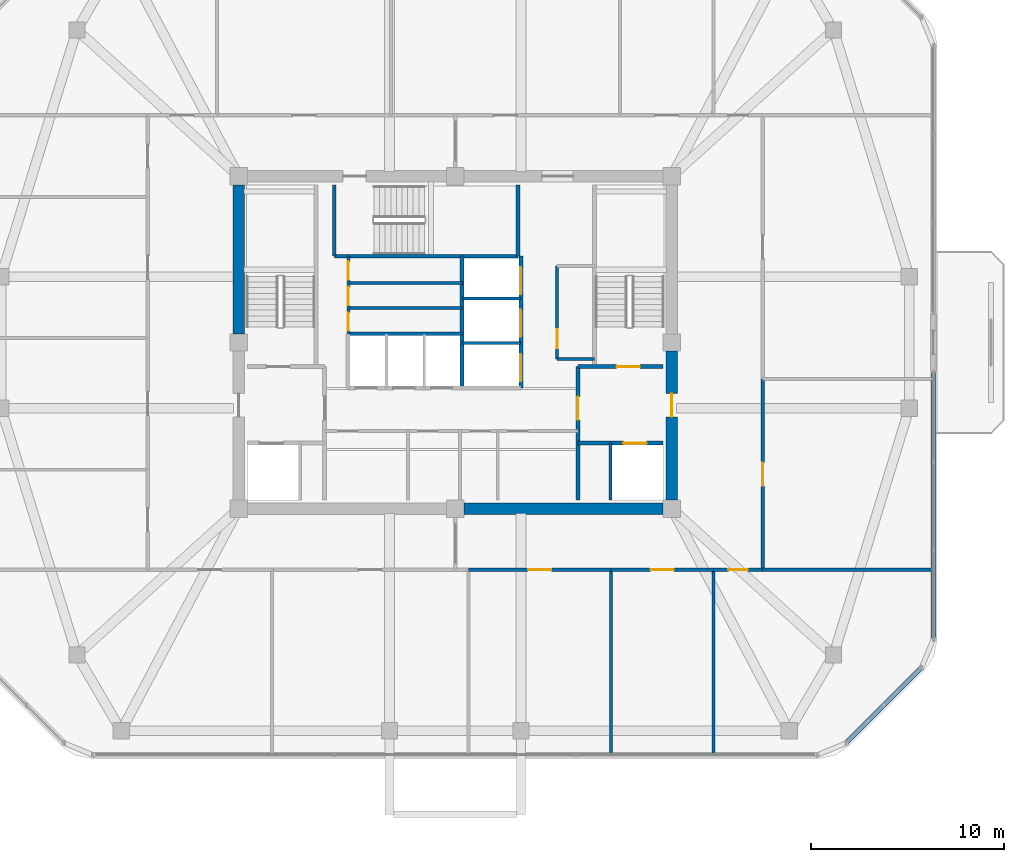
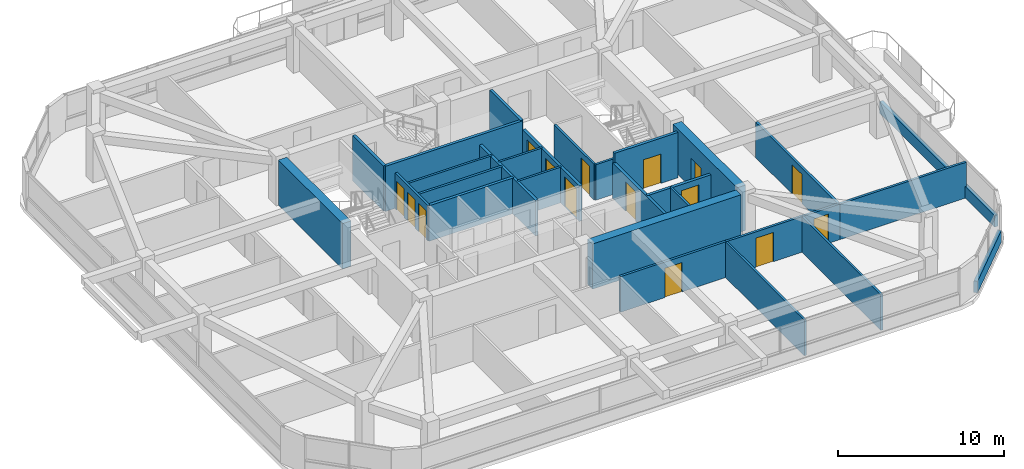
# One storey, part 10 of 14: 29 walls, 15 doors, 15 openings.
"""IFC4 building model written with IfcOpenShell, lengths in metres."""

from ifc_helpers import new_model, si_unit, derived_unit, direction, frame, frame_2d, origin, place, context, subcontext, project, spatial, rectangle, extrude, material, layer, layer_set, type_object, element, fill, save


model = new_model("IFC4")

# Units and contexts
model_context = context("Model", 3, precision=1e-05, world=origin(), true_north=direction((0.0, 1.0)))
body_context = subcontext(model_context, "Body", "Model", "MODEL_VIEW")
ifc_project = project(units=[si_unit("LENGTHUNIT", "METRE"), si_unit("AREAUNIT", "SQUARE_METRE"), si_unit("VOLUMEUNIT", "CUBIC_METRE"), si_unit("PLANEANGLEUNIT", "RADIAN"), si_unit("MASSUNIT", "GRAM", prefix="KILO"), derived_unit("THERMALTRANSMITTANCEUNIT", [(si_unit("POWERUNIT", "WATT"), 1), (si_unit("LENGTHUNIT", "METRE"), -2), (si_unit("THERMODYNAMICTEMPERATUREUNIT", "KELVIN"), -1)])], contexts=[model_context])

# Site, building, storey
site_placement = place(None, origin())
site = spatial("IfcSite", under=ifc_project, at=site_placement, CompositionType="ELEMENT")
building_placement = place(site_placement, origin())
building = spatial("IfcBuilding", under=site, at=building_placement, Name="Koralith Skygarden Medical Center", CompositionType="ELEMENT")
storey_placement = place(building_placement, frame((0.0, 0.0, 246.419921875)))
storey = spatial("IfcBuildingStorey", under=building, at=storey_placement, Name="L63", CompositionType="ELEMENT", Elevation=246.419921875)

# Wall, opening, door
ifc_material_1 = material(Name="Gypsum Board Partition")
ifc_layer_1 = layer(ifc_material_1, 0.14990234375)
ifc_layer_set_1 = layer_set([ifc_layer_1], Name="Gypsum Board Partition")
wall_type_1 = type_object("IfcWallType", Name="Clinical Acoustic Partition 150", PredefinedType="PARTITIONING", material=ifc_layer_set_1)
wall_1_placement = place(storey_placement, frame((42.27001953125, 25.0400390625, 0.0), z_axis=(0.0, 0.0, 1.0), x_axis=(0.0, 1.0, 0.0)))
wall_1 = element("IfcWall", 1, at=wall_1_placement, inside=storey, type_object=wall_type_1, Name="L63 Clinical Acoustic Partition 150 W-CORE-L63-ESUB-W", PredefinedType="PARTITIONING", context=body_context, shape_type="SweptSolid", body=[
    extrude(rectangle(XDim=4.820068359375, YDim=0.14990234375, at=frame_2d((2.41015625, 0.0))), origin(), (0.0, 0.0, 1.0), 2.610107421875),
])
opening_1_placement = place(wall_1_placement, frame((0.550048828125, 0.0, 0.0)))
opening_1 = element("IfcOpeningElement", 2, at=opening_1_placement, cuts=wall_1, Name="Opening D-SUP", PredefinedType="OPENING", context=body_context, shape_type="SweptSolid", body=[
    extrude(rectangle(XDim=1.0, YDim=2.14990234375, at=frame_2d((0.5, 1.074951171875))), frame((0.0, 0.0849609375, 0.0), z_axis=(0.0, -1.0, 0.0), x_axis=(1.0, 0.0, 0.0)), (0.0, 0.0, 1.0), 0.169921875),
])
ifc_material_2 = material(Name="Aluminium 6063-T6", Category="aluminium")
door_type_1 = type_object("IfcDoorType", Name="Clinical Support Door D-SUP 1000", OperationType="NOTDEFINED", PredefinedType="DOOR", material=ifc_material_2)
door_1_placement = place(opening_1_placement, origin())
door_1 = element("IfcDoor", 3, at=door_1_placement, inside=storey, type_object=door_type_1, Name="L63 Core Equipment Store Door", OperationType="SINGLE_SWING_LEFT", OverallHeight=2.14990234375, OverallWidth=1.0, PredefinedType="DOOR", context=body_context, shape_type="SweptSolid", body=[
    extrude(rectangle(XDim=1.0, YDim=2.14990234375, at=frame_2d((0.5, 1.074951171875))), frame((0.0, 0.02490234375, 0.0), z_axis=(0.0, -1.0, 0.0), x_axis=(1.0, 0.0, 0.0)), (0.0, 0.0, 1.0), 0.050048828125),
])
fill(opening_1, door_1)

# Walls
wall_2_placement = place(storey_placement, frame((42.27001953125, 25.0400390625, 0.0), z_axis=(0.0, 0.0, 1.0), x_axis=(1.0, 0.0, 0.0)))
element("IfcWall", 4, at=wall_2_placement, inside=storey, type_object=wall_type_1, Name="L63 Clinical Acoustic Partition 150 W-CORE-L63-ESUB-S", PredefinedType="PARTITIONING", context=body_context, shape_type="SweptSolid", body=[
    extrude(rectangle(XDim=1.929931640625, YDim=0.14990234375, at=frame_2d((0.96484375, 0.0))), origin(), (0.0, 0.0, 1.0), 2.610107421875),
])
wall_3_placement = place(storey_placement, frame((31.47998046875, 28.97998046875, 0.0), z_axis=(0.0, 0.0, 1.0), x_axis=(1.0, 0.0, 0.0)))
element("IfcWall", 5, at=wall_3_placement, inside=storey, type_object=wall_type_1, Name="L63 Clinical Acoustic Partition 150 W-CORE-L63-FLEX-H1B", PredefinedType="PARTITIONING", context=body_context, shape_type="SweptSolid", body=[
    extrude(rectangle(XDim=5.89013671875, YDim=0.14990234375, at=frame_2d((2.945068359375, 0.0))), origin(), (0.0, 0.0, 1.0), 2.610107421875),
])
for number, where, z_axis, x_axis, name in (
    (6, (45.051025390625, 14.14990234375, 0.0), (0.0, 0.0, 1.0), (0.0, -1.0, 0.0), "L63 Clinical Acoustic Partition 150 W-PART-L63-S-03"),
    (7, (50.35009765625, 14.14990234375, 0.0), (0.0, 0.0, 1.0), (0.0, -1.0, 0.0), "L63 Clinical Acoustic Partition 150 W-PART-L63-S-04"),
):
    element("IfcWall", number, at=place(storey_placement, frame(where, z_axis=z_axis, x_axis=x_axis)), inside=storey, type_object=wall_type_1, Name=name, PredefinedType="PARTITIONING", context=body_context, shape_type="SweptSolid", body=[
        extrude(rectangle(XDim=9.5498046875, YDim=0.14990234375, at=frame_2d((4.77490234375, 0.0))), origin(), (0.0, 0.0, 1.0), 2.610107421875),
    ])
ifc_layer_2 = layer(ifc_material_1, 0.1650390625)
ifc_layer_set_2 = layer_set([ifc_layer_2], Name="Gypsum Board Partition")
wall_type_2 = type_object("IfcWallType", Name="Clinical Corridor Partition 165", PredefinedType="PARTITIONING", material=ifc_layer_set_2)
wall_4_placement = place(storey_placement, frame((52.89990234375, 14.14990234375, 0.0), z_axis=(0.0, 0.0, 1.0), x_axis=(1.0, 0.0, 0.0)))
element("IfcWall", 8, at=wall_4_placement, inside=storey, type_object=wall_type_2, Name="L63 Clinical Corridor Partition 165 W-WB-L63-SE", PredefinedType="PARTITIONING", context=body_context, shape_type="SweptSolid", body=[
    extrude(rectangle(XDim=8.800048828125, YDim=0.1650390625, at=frame_2d((4.39990234375, 0.0))), origin(), (0.0, 0.0, 1.0), 2.610107421875),
])

# Wall, opening, door
wall_5_placement = place(storey_placement, frame((37.69091796875, 14.14990234375, 0.0), z_axis=(0.0, 0.0, 1.0), x_axis=(1.0, 0.0, 0.0)))
wall_5 = element("IfcWall", 9, at=wall_5_placement, inside=storey, type_object=wall_type_2, Name="L63 Clinical Corridor Partition 165 W-CORR-L63-S-03", PredefinedType="PARTITIONING", context=body_context, shape_type="SweptSolid", body=[
    extrude(rectangle(XDim=7.360107421875, YDim=0.1650390625, at=frame_2d((3.68017578125, 0.0))), origin(), (0.0, 0.0, 1.0), 2.610107421875),
])
opening_2_placement = place(wall_5_placement, frame((3.080078125, 0.0, 0.0)))
opening_2 = element("IfcOpeningElement", 10, at=opening_2_placement, cuts=wall_5, Name="Opening D-CLN", PredefinedType="OPENING", context=body_context, shape_type="SweptSolid", body=[
    extrude(rectangle(XDim=1.199951171875, YDim=2.14990234375, at=frame_2d((0.60009765625, 1.074951171875))), frame((0.0, 0.092529296875, 0.0), z_axis=(0.0, -1.0, 0.0), x_axis=(1.0, 0.0, 0.0)), (0.0, 0.0, 1.0), 0.18505859375),
])
door_type_2 = type_object("IfcDoorType", Name="Clinical Corridor Door D-CLN 1200", OperationType="NOTDEFINED", PredefinedType="DOOR", material=ifc_material_2)
door_2_placement = place(opening_2_placement, frame((1.199951171875, 0.0, 0.0), z_axis=(0.0, 0.0, 1.0), x_axis=(-1.0, 0.0, 0.0)))
door_2 = element("IfcDoor", 11, at=door_2_placement, inside=storey, type_object=door_type_2, Name="L63 Social Work Counseling Office 08 Door", OperationType="SINGLE_SWING_LEFT", OverallHeight=2.14990234375, OverallWidth=1.199951171875, PredefinedType="DOOR", context=body_context, shape_type="SweptSolid", body=[
    extrude(rectangle(XDim=1.199951171875, YDim=2.14990234375, at=frame_2d((0.60009765625, 1.074951171875))), frame((0.0, 0.02490234375, 0.0), z_axis=(0.0, -1.0, 0.0), x_axis=(1.0, 0.0, 0.0)), (0.0, 0.0, 1.0), 0.050048828125),
])
fill(opening_2, door_2)

wall_6_placement = place(storey_placement, frame((45.051025390625, 14.14990234375, 0.0), z_axis=(0.0, 0.0, 1.0), x_axis=(1.0, 0.0, 0.0)))
wall_6 = element("IfcWall", 12, at=wall_6_placement, inside=storey, type_object=wall_type_2, Name="L63 Clinical Corridor Partition 165 W-CORR-L63-S-04", PredefinedType="PARTITIONING", context=body_context, shape_type="SweptSolid", body=[
    extrude(rectangle(XDim=5.299072265625, YDim=0.1650390625, at=frame_2d((2.6494140625, 0.0))), origin(), (0.0, 0.0, 1.0), 2.610107421875),
])
opening_3_placement = place(wall_6_placement, frame((2.049072265625, 0.0, 0.0)))
opening_3 = element("IfcOpeningElement", 13, at=opening_3_placement, cuts=wall_6, Name="Opening D-CLN", PredefinedType="OPENING", context=body_context, shape_type="SweptSolid", body=[
    extrude(rectangle(XDim=1.199951171875, YDim=2.14990234375, at=frame_2d((0.60009765625, 1.074951171875))), frame((0.0, 0.092529296875, 0.0), z_axis=(0.0, -1.0, 0.0), x_axis=(1.0, 0.0, 0.0)), (0.0, 0.0, 1.0), 0.18505859375),
])
door_3_placement = place(opening_3_placement, frame((1.199951171875, 0.0, 0.0), z_axis=(0.0, 0.0, 1.0), x_axis=(-1.0, 0.0, 0.0)))
door_3 = element("IfcDoor", 14, at=door_3_placement, inside=storey, type_object=door_type_2, Name="L63 Clinical Consultation Office 09 Door", OperationType="SINGLE_SWING_RIGHT", OverallHeight=2.14990234375, OverallWidth=1.199951171875, PredefinedType="DOOR", context=body_context, shape_type="SweptSolid", body=[
    extrude(rectangle(XDim=1.199951171875, YDim=2.14990234375, at=frame_2d((0.60009765625, 1.074951171875))), frame((0.0, 0.02490234375, 0.0), z_axis=(0.0, -1.0, 0.0), x_axis=(1.0, 0.0, 0.0)), (0.0, 0.0, 1.0), 0.050048828125),
])
fill(opening_3, door_3)

wall_7_placement = place(storey_placement, frame((50.35009765625, 14.14990234375, 0.0), z_axis=(0.0, 0.0, 1.0), x_axis=(1.0, 0.0, 0.0)))
wall_7 = element("IfcWall", 15, at=wall_7_placement, inside=storey, type_object=wall_type_2, Name="L63 Clinical Corridor Partition 165 W-CORR-L63-S-05", PredefinedType="PARTITIONING", context=body_context, shape_type="SweptSolid", body=[
    extrude(rectangle(XDim=2.5498046875, YDim=0.1650390625, at=frame_2d((1.27490234375, 0.0))), origin(), (0.0, 0.0, 1.0), 2.610107421875),
])
opening_4_placement = place(wall_7_placement, frame((0.77490234375, 0.0, 0.0)))
opening_4 = element("IfcOpeningElement", 16, at=opening_4_placement, cuts=wall_7, Name="Opening D-SUP", PredefinedType="OPENING", context=body_context, shape_type="SweptSolid", body=[
    extrude(rectangle(XDim=1.0, YDim=2.14990234375, at=frame_2d((0.5, 1.074951171875))), frame((0.0, 0.092529296875, 0.0), z_axis=(0.0, -1.0, 0.0), x_axis=(1.0, 0.0, 0.0)), (0.0, 0.0, 1.0), 0.18505859375),
])
door_4_placement = place(opening_4_placement, frame((1.0, 0.0, 0.0), z_axis=(0.0, 0.0, 1.0), x_axis=(-1.0, 0.0, 0.0)))
door_4 = element("IfcDoor", 17, at=door_4_placement, inside=storey, type_object=door_type_1, Name="L63 Staff Refreshment and Nutrition Pantry 10 Door", OperationType="SINGLE_SWING_LEFT", OverallHeight=2.14990234375, OverallWidth=1.0, PredefinedType="DOOR", context=body_context, shape_type="SweptSolid", body=[
    extrude(rectangle(XDim=1.0, YDim=2.14990234375, at=frame_2d((0.5, 1.074951171875))), frame((0.0, 0.02490234375, 0.0), z_axis=(0.0, -1.0, 0.0), x_axis=(1.0, 0.0, 0.0)), (0.0, 0.0, 1.0), 0.050048828125),
])
fill(opening_4, door_4)

wall_8_placement = place(storey_placement, frame((52.89990234375, 14.14990234375, 0.0), z_axis=(0.0, 0.0, 1.0), x_axis=(0.0, 1.0, 0.0)))
wall_8 = element("IfcWall", 18, at=wall_8_placement, inside=storey, type_object=wall_type_2, Name="L63 Clinical Corridor Partition 165 W-CORR-L63-E-01", PredefinedType="PARTITIONING", context=body_context, shape_type="SweptSolid", body=[
    extrude(rectangle(XDim=9.8701171875, YDim=0.1650390625, at=frame_2d((4.93505859375, 0.0))), origin(), (0.0, 0.0, 1.0), 2.610107421875),
])
opening_5_placement = place(wall_8_placement, frame((4.3349609375, 0.0, 0.0)))
opening_5 = element("IfcOpeningElement", 19, at=opening_5_placement, cuts=wall_8, Name="Opening D-CLN", PredefinedType="OPENING", context=body_context, shape_type="SweptSolid", body=[
    extrude(rectangle(XDim=1.199951171875, YDim=2.14990234375, at=frame_2d((0.60009765625, 1.074951171875))), frame((0.0, 0.092529296875, 0.0), z_axis=(0.0, -1.0, 0.0), x_axis=(1.0, 0.0, 0.0)), (0.0, 0.0, 1.0), 0.18505859375),
])
door_5_placement = place(opening_5_placement, origin())
door_5 = element("IfcDoor", 20, at=door_5_placement, inside=storey, type_object=door_type_2, Name="L63 Clinical Pharmacist Office 15 Door", OperationType="SINGLE_SWING_RIGHT", OverallHeight=2.14990234375, OverallWidth=1.199951171875, PredefinedType="DOOR", context=body_context, shape_type="SweptSolid", body=[
    extrude(rectangle(XDim=1.199951171875, YDim=2.14990234375, at=frame_2d((0.60009765625, 1.074951171875))), frame((0.0, 0.02490234375, 0.0), z_axis=(0.0, -1.0, 0.0), x_axis=(1.0, 0.0, 0.0)), (0.0, 0.0, 1.0), 0.050048828125),
])
fill(opening_5, door_5)

ifc_layer_3 = layer(ifc_material_1, 0.199951171875)
ifc_layer_set_3 = layer_set([ifc_layer_3], Name="Gypsum Board Partition")
wall_type_3 = type_object("IfcWallType", Name="Fire Shaft Wall 200", PredefinedType="SOLIDWALL", material=ifc_layer_set_3)
wall_9_placement = place(storey_placement, frame((43.35009765625, 20.699951171875, 0.0), z_axis=(0.0, 0.0, 1.0), x_axis=(1.0, 0.0, 0.0)))
wall_9 = element("IfcWall", 21, at=wall_9_placement, inside=storey, type_object=wall_type_3, Name="L63 Fire Shaft Wall 200 W-CORE-L63-FF2-N", PredefinedType="SOLIDWALL", context=body_context, shape_type="SweptSolid", body=[
    extrude(rectangle(XDim=4.39990234375, YDim=0.199951171875, at=frame_2d((2.199951171875, 0.0))), origin(), (0.0, 0.0, 1.0), 2.610107421875),
])
opening_6_placement = place(wall_9_placement, frame((2.35009765625, 0.0, 0.0)))
opening_6 = element("IfcOpeningElement", 22, at=opening_6_placement, cuts=wall_9, Name="Opening LD-FF", PredefinedType="OPENING", context=body_context, shape_type="SweptSolid", body=[
    extrude(rectangle(XDim=1.199951171875, YDim=2.14990234375, at=frame_2d((0.60009765625, 1.074951171875))), frame((0.0, 0.10986328125, 0.0), z_axis=(0.0, -1.0, 0.0), x_axis=(1.0, 0.0, 0.0)), (0.0, 0.0, 1.0), 0.219970703125),
])
ifc_material_3 = material(Name="Steel ASTM A500 Grade C", Category="steel")
door_type_3 = type_object("IfcDoorType", Name="Fire Lift Sliding Landing Door LD-FF 1200", OperationType="NOTDEFINED", PredefinedType="DOOR", material=ifc_material_3)
door_6_placement = place(opening_6_placement, origin())
door_6 = element("IfcDoor", 23, at=door_6_placement, inside=storey, type_object=door_type_3, Name="L63 Fire Service Elevator FF2 Landing Door", OperationType="SLIDING_TO_RIGHT", OverallHeight=2.14990234375, OverallWidth=1.199951171875, PredefinedType="DOOR", context=body_context, shape_type="SweptSolid", body=[
    extrude(rectangle(XDim=1.199951171875, YDim=2.14990234375, at=frame_2d((0.60009765625, 1.074951171875))), frame((0.0, 0.02490234375, 0.0), z_axis=(0.0, -1.0, 0.0), x_axis=(1.0, 0.0, 0.0)), (0.0, 0.0, 1.0), 0.050048828125),
])
fill(opening_6, door_6)

wall_10_placement = place(storey_placement, frame((43.35009765625, 17.75, 0.0), z_axis=(0.0, 0.0, 1.0), x_axis=(0.0, 1.0, 0.0)))
wall_10 = element("IfcWall", 24, at=wall_10_placement, inside=storey, type_object=wall_type_3, Name="L63 Fire Shaft Wall 200 W-CORE-L63-FSAEE-W", PredefinedType="SOLIDWALL", context=body_context, shape_type="SweptSolid", body=[
    extrude(rectangle(XDim=6.89990234375, YDim=0.199951171875, at=frame_2d((3.449951171875, 0.0))), origin(), (0.0, 0.0, 1.0), 2.610107421875),
])
opening_7_placement = place(wall_10_placement, frame((4.14990234375, 0.0, 0.0)))
opening_7 = element("IfcOpeningElement", 25, at=opening_7_placement, cuts=wall_10, Name="Opening D-ST60", PredefinedType="OPENING", context=body_context, shape_type="SweptSolid", body=[
    extrude(rectangle(XDim=1.199951171875, YDim=2.14990234375, at=frame_2d((0.60009765625, 1.074951171875))), frame((0.0, 0.10986328125, 0.0), z_axis=(0.0, -1.0, 0.0), x_axis=(1.0, 0.0, 0.0)), (0.0, 0.0, 1.0), 0.219970703125),
])
door_type_4 = type_object("IfcDoorType", Name="Smokeproof Stair Fire Door FD60S 1200", OperationType="NOTDEFINED", PredefinedType="DOOR", material=ifc_material_3)
door_7_placement = place(opening_7_placement, frame((1.199951171875, 0.0, 0.0), z_axis=(0.0, 0.0, 1.0), x_axis=(-1.0, 0.0, 0.0)))
door_7 = element("IfcDoor", 26, at=door_7_placement, inside=storey, type_object=door_type_4, Name="L63 East Firefighting Lobby Inner Fire Door", OperationType="SINGLE_SWING_RIGHT", OverallHeight=2.14990234375, OverallWidth=1.199951171875, PredefinedType="DOOR", context=body_context, shape_type="SweptSolid", body=[
    extrude(rectangle(XDim=1.199951171875, YDim=2.14990234375, at=frame_2d((0.60009765625, 1.074951171875))), frame((0.0, 0.02490234375, 0.0), z_axis=(0.0, -1.0, 0.0), x_axis=(1.0, 0.0, 0.0)), (0.0, 0.0, 1.0), 0.050048828125),
])
fill(opening_7, door_7)

# Walls
wall_11_placement = place(storey_placement, frame((31.449951171875, 26.35009765625, 0.0), z_axis=(0.0, 0.0, 1.0), x_axis=(1.0, 0.0, 0.0)))
element("IfcWall", 27, at=wall_11_placement, inside=storey, type_object=wall_type_3, Name="L63 Fire Shaft Wall 200 W-CORE-L63-PH-N", PredefinedType="SOLIDWALL", context=body_context, shape_type="SweptSolid", body=[
    extrude(rectangle(XDim=5.900146484375, YDim=0.199951171875, at=frame_2d((2.9501953125, 0.0))), origin(), (0.0, 0.0, 1.0), 2.610107421875),
])
wall_12_placement = place(storey_placement, frame((37.35009765625, 23.5400390625, 0.0), z_axis=(0.0, 0.0, 1.0), x_axis=(0.0, 1.0, 0.0)))
element("IfcWall", 28, at=wall_12_placement, inside=storey, type_object=wall_type_3, Name="L63 Fire Shaft Wall 200 W-CORE-L63-SV-W", PredefinedType="SOLIDWALL", context=body_context, shape_type="SweptSolid", body=[
    extrude(rectangle(XDim=6.820068359375, YDim=0.199951171875, at=frame_2d((3.41015625, 0.0))), origin(), (0.0, 0.0, 1.0), 2.610107421875),
])

# Wall, openings, doors
wall_13_placement = place(storey_placement, frame((40.39990234375, 23.5400390625, 0.0), z_axis=(0.0, 0.0, 1.0), x_axis=(0.0, 1.0, 0.0)))
wall_13 = element("IfcWall", 29, at=wall_13_placement, inside=storey, type_object=wall_type_3, Name="L63 Fire Shaft Wall 200 W-CORE-L63-SV-E", PredefinedType="SOLIDWALL", context=body_context, shape_type="SweptSolid", body=[
    extrude(rectangle(XDim=6.820068359375, YDim=0.199951171875, at=frame_2d((3.41015625, 0.0))), origin(), (0.0, 0.0, 1.0), 2.610107421875),
])
opening_8_placement = place(wall_13_placement, frame((0.35009765625, 0.0, 0.0)))
opening_8 = element("IfcOpeningElement", 30, at=opening_8_placement, cuts=wall_13, Name="Opening LD-SV", PredefinedType="OPENING", context=body_context, shape_type="SweptSolid", body=[
    extrude(rectangle(XDim=1.39990234375, YDim=2.199951171875, at=frame_2d((0.699951171875, 1.10009765625))), frame((0.0, 0.10986328125, 0.0), z_axis=(0.0, -1.0, 0.0), x_axis=(1.0, 0.0, 0.0)), (0.0, 0.0, 1.0), 0.219970703125),
])
opening_9_placement = place(wall_13_placement, frame((2.64990234375, 0.0, 0.0)))
opening_9 = element("IfcOpeningElement", 31, at=opening_9_placement, cuts=wall_13, Name="Opening LD-SV", PredefinedType="OPENING", context=body_context, shape_type="SweptSolid", body=[
    extrude(rectangle(XDim=1.39990234375, YDim=2.199951171875, at=frame_2d((0.699951171875, 1.10009765625))), frame((0.0, 0.10986328125, 0.0), z_axis=(0.0, -1.0, 0.0), x_axis=(1.0, 0.0, 0.0)), (0.0, 0.0, 1.0), 0.219970703125),
])
opening_10_placement = place(wall_13_placement, frame((4.85009765625, 0.0, 0.0)))
opening_10 = element("IfcOpeningElement", 32, at=opening_10_placement, cuts=wall_13, Name="Opening LD-SV", PredefinedType="OPENING", context=body_context, shape_type="SweptSolid", body=[
    extrude(rectangle(XDim=1.39990234375, YDim=2.199951171875, at=frame_2d((0.699951171875, 1.10009765625))), frame((0.0, 0.10986328125, 0.0), z_axis=(0.0, -1.0, 0.0), x_axis=(1.0, 0.0, 0.0)), (0.0, 0.0, 1.0), 0.219970703125),
])
door_type_5 = type_object("IfcDoorType", Name="Bed Lift Sliding Landing Door LD-SV 1400", OperationType="NOTDEFINED", PredefinedType="DOOR", material=ifc_material_3)
door_8_placement = place(opening_8_placement, origin())
door_8 = element("IfcDoor", 33, at=door_8_placement, inside=storey, type_object=door_type_5, Name="L63 Bed Elevator BD1 Landing Door", OperationType="SLIDING_TO_LEFT", OverallHeight=2.199951171875, OverallWidth=1.39990234375, PredefinedType="DOOR", context=body_context, shape_type="SweptSolid", body=[
    extrude(rectangle(XDim=1.39990234375, YDim=2.199951171875, at=frame_2d((0.699951171875, 1.10009765625))), frame((0.0, 0.02490234375, 0.0), z_axis=(0.0, -1.0, 0.0), x_axis=(1.0, 0.0, 0.0)), (0.0, 0.0, 1.0), 0.050048828125),
])
fill(opening_8, door_8)
door_9_placement = place(opening_9_placement, origin())
door_9 = element("IfcDoor", 34, at=door_9_placement, inside=storey, type_object=door_type_5, Name="L63 Service Elevator BD2 Landing Door", OperationType="SLIDING_TO_LEFT", OverallHeight=2.199951171875, OverallWidth=1.39990234375, PredefinedType="DOOR", context=body_context, shape_type="SweptSolid", body=[
    extrude(rectangle(XDim=1.39990234375, YDim=2.199951171875, at=frame_2d((0.699951171875, 1.10009765625))), frame((0.0, 0.02490234375, 0.0), z_axis=(0.0, -1.0, 0.0), x_axis=(1.0, 0.0, 0.0)), (0.0, 0.0, 1.0), 0.050048828125),
])
fill(opening_9, door_9)
door_10_placement = place(opening_10_placement, origin())
door_10 = element("IfcDoor", 35, at=door_10_placement, inside=storey, type_object=door_type_5, Name="L63 Trauma Elevator TR1 Landing Door", OperationType="SLIDING_TO_RIGHT", OverallHeight=2.199951171875, OverallWidth=1.39990234375, PredefinedType="DOOR", context=body_context, shape_type="SweptSolid", body=[
    extrude(rectangle(XDim=1.39990234375, YDim=2.199951171875, at=frame_2d((0.699951171875, 1.10009765625))), frame((0.0, 0.02490234375, 0.0), z_axis=(0.0, -1.0, 0.0), x_axis=(1.0, 0.0, 0.0)), (0.0, 0.0, 1.0), 0.050048828125),
])
fill(opening_10, door_10)

# Walls
ifc_material_4 = material(Name="Warm Oolitic Limestone Cladding", Category="masonry")
ifc_layer_4 = layer(ifc_material_4, 0.239990234375)
ifc_layer_set_4 = layer_set([ifc_layer_4], Name="Warm Oolitic Limestone Cladding")
wall_type_4 = type_object("IfcWallType", Name="Limestone Spandrel Sill Backup Wall 240", PredefinedType="SOLIDWALL", material=ifc_layer_set_4)
wall_14_placement = place(storey_placement, frame((57.196044921875, 5.180908203125, 0.0), z_axis=(0.0, 0.0, 1.0), x_axis=(0.707084777957, 0.707128783731, 0.0)))
element("IfcWall", 36, at=wall_14_placement, inside=storey, type_object=wall_type_4, Name="L63 Sill Spandrel SE", PredefinedType="SOLIDWALL", context=body_context, shape_type="SweptSolid", body=[
    extrude(rectangle(XDim=5.5478515625, YDim=0.239990234375, at=frame_2d((2.77392578125, 0.0))), origin(), (0.0, 0.0, 1.0), 0.85009765625),
])
wall_15_placement = place(storey_placement, frame((61.719970703125, 10.554931640625, 0.0), z_axis=(0.0, 0.0, 1.0), x_axis=(0.0, 1.0, 0.0)))
element("IfcWall", 37, at=wall_15_placement, inside=storey, type_object=wall_type_4, Name="L63 Sill Spandrel E-L", PredefinedType="SOLIDWALL", context=body_context, shape_type="SweptSolid", body=[
    extrude(rectangle(XDim=13.80517578125, YDim=0.239990234375, at=frame_2d((6.902587890625, 0.0))), origin(), (0.0, 0.0, 1.0), 0.85009765625),
])

# Wall, openings, doors
ifc_layer_5 = layer(ifc_material_1, 0.1650390625)
ifc_layer_set_5 = layer_set([ifc_layer_5], Name="Gypsum Board Partition")
wall_type_5 = type_object("IfcWallType", Name="Plumbing Wet Wall 165", PredefinedType="PLUMBINGWALL", material=ifc_layer_set_5)
wall_16_placement = place(storey_placement, frame((31.47998046875, 26.320068359375, 0.0), z_axis=(0.0, 0.0, 1.0), x_axis=(0.0, 1.0, 0.0)))
wall_16 = element("IfcWall", 38, at=wall_16_placement, inside=storey, type_object=wall_type_5, Name="L63 Plumbing Wet Wall 165 W-CORE-L63-FLEX-W", PredefinedType="PLUMBINGWALL", context=body_context, shape_type="SweptSolid", body=[
    extrude(rectangle(XDim=4.0400390625, YDim=0.1650390625, at=frame_2d((2.02001953125, 0.0))), origin(), (0.0, 0.0, 1.0), 2.610107421875),
])
opening_11_placement = place(wall_16_placement, frame((0.179931640625, 0.0, 0.0)))
opening_11 = element("IfcOpeningElement", 39, at=opening_11_placement, cuts=wall_16, Name="Opening D-WC", PredefinedType="OPENING", context=body_context, shape_type="SweptSolid", body=[
    extrude(rectangle(XDim=0.949951171875, YDim=2.10009765625, at=frame_2d((0.47509765625, 1.050048828125))), frame((0.0, 0.092529296875, 0.0), z_axis=(0.0, -1.0, 0.0), x_axis=(1.0, 0.0, 0.0)), (0.0, 0.0, 1.0), 0.18505859375),
])
opening_12_placement = place(wall_16_placement, frame((1.5, 0.0, 0.0)))
opening_12 = element("IfcOpeningElement", 40, at=opening_12_placement, cuts=wall_16, Name="Opening D-WC", PredefinedType="OPENING", context=body_context, shape_type="SweptSolid", body=[
    extrude(rectangle(XDim=0.949951171875, YDim=2.10009765625, at=frame_2d((0.47509765625, 1.050048828125))), frame((0.0, 0.092529296875, 0.0), z_axis=(0.0, -1.0, 0.0), x_axis=(1.0, 0.0, 0.0)), (0.0, 0.0, 1.0), 0.18505859375),
])
opening_13_placement = place(wall_16_placement, frame((2.820068359375, 0.0, 0.0)))
opening_13 = element("IfcOpeningElement", 41, at=opening_13_placement, cuts=wall_16, Name="Opening D-WC", PredefinedType="OPENING", context=body_context, shape_type="SweptSolid", body=[
    extrude(rectangle(XDim=0.949951171875, YDim=2.10009765625, at=frame_2d((0.47509765625, 1.050048828125))), frame((0.0, 0.092529296875, 0.0), z_axis=(0.0, -1.0, 0.0), x_axis=(1.0, 0.0, 0.0)), (0.0, 0.0, 1.0), 0.18505859375),
])
door_type_6 = type_object("IfcDoorType", Name="Accessible Toilet Door D-WC 950", OperationType="NOTDEFINED", PredefinedType="DOOR", material=ifc_material_2)
door_11_placement = place(opening_11_placement, frame((0.949951171875, 0.0, 0.0), z_axis=(0.0, 0.0, 1.0), x_axis=(-1.0, 0.0, 0.0)))
door_11 = element("IfcDoor", 42, at=door_11_placement, inside=storey, type_object=door_type_6, Name="L63 Core Accessible WC Door", OperationType="SINGLE_SWING_LEFT", OverallHeight=2.10009765625, OverallWidth=0.949951171875, PredefinedType="DOOR", context=body_context, shape_type="SweptSolid", body=[
    extrude(rectangle(XDim=0.949951171875, YDim=2.10009765625, at=frame_2d((0.47509765625, 1.050048828125))), frame((0.0, 0.02490234375, 0.0), z_axis=(0.0, -1.0, 0.0), x_axis=(1.0, 0.0, 0.0)), (0.0, 0.0, 1.0), 0.050048828125),
])
fill(opening_11, door_11)
door_12_placement = place(opening_12_placement, frame((0.949951171875, 0.0, 0.0), z_axis=(0.0, 0.0, 1.0), x_axis=(-1.0, 0.0, 0.0)))
door_12 = element("IfcDoor", 43, at=door_12_placement, inside=storey, type_object=door_type_6, Name="L63 Staff Pantry Door", OperationType="SINGLE_SWING_LEFT", OverallHeight=2.10009765625, OverallWidth=0.949951171875, PredefinedType="DOOR", context=body_context, shape_type="SweptSolid", body=[
    extrude(rectangle(XDim=0.949951171875, YDim=2.10009765625, at=frame_2d((0.47509765625, 1.050048828125))), frame((0.0, 0.02490234375, 0.0), z_axis=(0.0, -1.0, 0.0), x_axis=(1.0, 0.0, 0.0)), (0.0, 0.0, 1.0), 0.050048828125),
])
fill(opening_12, door_12)
door_13_placement = place(opening_13_placement, frame((0.949951171875, 0.0, 0.0), z_axis=(0.0, 0.0, 1.0), x_axis=(-1.0, 0.0, 0.0)))
door_13 = element("IfcDoor", 44, at=door_13_placement, inside=storey, type_object=door_type_6, Name="L63 IT Comms Door", OperationType="SINGLE_SWING_RIGHT", OverallHeight=2.10009765625, OverallWidth=0.949951171875, PredefinedType="DOOR", context=body_context, shape_type="SweptSolid", body=[
    extrude(rectangle(XDim=0.949951171875, YDim=2.10009765625, at=frame_2d((0.47509765625, 1.050048828125))), frame((0.0, 0.02490234375, 0.0), z_axis=(0.0, -1.0, 0.0), x_axis=(1.0, 0.0, 0.0)), (0.0, 0.0, 1.0), 0.050048828125),
])
fill(opening_13, door_13)

# Walls
wall_17_placement = place(storey_placement, frame((31.47998046875, 27.679931640625, 0.0), z_axis=(0.0, 0.0, 1.0), x_axis=(1.0, 0.0, 0.0)))
element("IfcWall", 45, at=wall_17_placement, inside=storey, type_object=wall_type_5, Name="L63 Plumbing Wet Wall 165 W-CORE-L63-FLEX-H1A", PredefinedType="PLUMBINGWALL", context=body_context, shape_type="SweptSolid", body=[
    extrude(rectangle(XDim=5.8701171875, YDim=0.1650390625, at=frame_2d((2.93505859375, 0.0))), origin(), (0.0, 0.0, 1.0), 2.610107421875),
])
ifc_layer_6 = layer(ifc_material_1, 0.14990234375)
ifc_layer_set_6 = layer_set([ifc_layer_6], Name="Gypsum Board Partition")
wall_type_6 = type_object("IfcWallType", Name="Shaft Partition Wall 150", PredefinedType="PARTITIONING", material=ifc_layer_set_6)
wall_18_placement = place(storey_placement, frame((45.02001953125, 17.75, 0.0), z_axis=(0.0, 0.0, 1.0), x_axis=(0.0, 1.0, 0.0)))
element("IfcWall", 46, at=wall_18_placement, inside=storey, type_object=wall_type_6, Name="L63 Shaft Partition Wall 150 W-CORE-L63-RSRE-DIV", PredefinedType="PARTITIONING", context=body_context, shape_type="SweptSolid", body=[
    extrude(rectangle(XDim=2.949951171875, YDim=0.14990234375, at=frame_2d((1.47509765625, 0.0))), origin(), (0.0, 0.0, 1.0), 2.610107421875),
])
for number, where, z_axis, x_axis, name in (
    (47, (37.3701171875, 25.8701171875, 0.0), (0.0, 0.0, 1.0), (1.0, 0.0, 0.0), "L63 Shaft Partition Wall 150 W-CORE-L63-SV-D1"),
    (48, (37.3701171875, 28.169921875, 0.0), (0.0, 0.0, 1.0), (1.0, 0.0, 0.0), "L63 Shaft Partition Wall 150 W-CORE-L63-SV-D2"),
):
    element("IfcWall", number, at=place(storey_placement, frame(where, z_axis=z_axis, x_axis=x_axis)), inside=storey, type_object=wall_type_6, Name=name, PredefinedType="PARTITIONING", context=body_context, shape_type="SweptSolid", body=[
        extrude(rectangle(XDim=3.009765625, YDim=0.14990234375, at=frame_2d((1.5048828125, 0.0))), origin(), (0.0, 0.0, 1.0), 2.610107421875),
    ])

# Wall, opening, door
ifc_material_5 = material(Name="Concrete C45/55", Category="concrete")
ifc_layer_7 = layer(ifc_material_5, 0.199951171875)
ifc_layer_set_7 = layer_set([ifc_layer_7], Name="Concrete C45/55")
wall_type_7 = type_object("IfcWallType", Name="Structural Stair Shaft Wall 200", PredefinedType="SHEAR", material=ifc_layer_set_7)
wall_19_placement = place(storey_placement, frame((43.35009765625, 24.64990234375, 0.0), z_axis=(0.0, 0.0, 1.0), x_axis=(1.0, 0.0, 0.0)))
wall_19 = element("IfcWall", 49, at=wall_19_placement, inside=storey, type_object=wall_type_7, Name="L63 Structural Stair Shaft Wall 200 W-CORE-L63-ST2-S", PredefinedType="SHEAR", context=body_context, shape_type="SweptSolid", body=[
    extrude(rectangle(XDim=4.39990234375, YDim=0.199951171875, at=frame_2d((2.199951171875, 0.0))), origin(), (0.0, 0.0, 1.0), 3.320068359375),
])
opening_14_placement = place(wall_19_placement, frame((2.0, 0.0, 0.0)))
opening_14 = element("IfcOpeningElement", 50, at=opening_14_placement, cuts=wall_19, Name="Opening D-ST60", PredefinedType="OPENING", context=body_context, shape_type="SweptSolid", body=[
    extrude(rectangle(XDim=1.199951171875, YDim=2.14990234375, at=frame_2d((0.60009765625, 1.074951171875))), frame((0.0, 0.10986328125, 0.0), z_axis=(0.0, -1.0, 0.0), x_axis=(1.0, 0.0, 0.0)), (0.0, 0.0, 1.0), 0.219970703125),
])
door_14_placement = place(opening_14_placement, origin())
door_14 = element("IfcDoor", 51, at=door_14_placement, inside=storey, type_object=door_type_4, Name="L63 Exit Stair ST2 Fire Door", OperationType="SINGLE_SWING_RIGHT", OverallHeight=2.14990234375, OverallWidth=1.199951171875, PredefinedType="DOOR", context=body_context, shape_type="SweptSolid", body=[
    extrude(rectangle(XDim=1.199951171875, YDim=2.14990234375, at=frame_2d((0.60009765625, 1.074951171875))), frame((0.0, 0.02490234375, 0.0), z_axis=(0.0, -1.0, 0.0), x_axis=(1.0, 0.0, 0.0)), (0.0, 0.0, 1.0), 0.050048828125),
])
fill(opening_14, door_14)

# Walls
wall_20_placement = place(storey_placement, frame((30.75, 30.360107421875, 0.0), z_axis=(0.0, 0.0, 1.0), x_axis=(1.0, 0.0, 0.0)))
element("IfcWall", 52, at=wall_20_placement, inside=storey, type_object=wall_type_7, Name="L63 Structural Stair Shaft Wall 200 W-CORE-L63-ST3-S", PredefinedType="SHEAR", context=body_context, shape_type="SweptSolid", body=[
    extrude(rectangle(XDim=9.5, YDim=0.199951171875, at=frame_2d((4.75, 0.0))), origin(), (0.0, 0.0, 1.0), 3.320068359375),
])
for number, where, z_axis, x_axis, name in (
    (53, (30.75, 30.360107421875, 0.0), (0.0, 0.0, 1.0), (0.0, 1.0, 0.0), "L63 Structural Stair Shaft Wall 200 W-CORE-L63-ST3-W"),
    (54, (40.25, 30.360107421875, 0.0), (0.0, 0.0, 1.0), (0.0, 1.0, 0.0), "L63 Structural Stair Shaft Wall 200 W-CORE-L63-ST3-E"),
):
    element("IfcWall", number, at=place(storey_placement, frame(where, z_axis=z_axis, x_axis=x_axis)), inside=storey, type_object=wall_type_7, Name=name, PredefinedType="SHEAR", context=body_context, shape_type="SweptSolid", body=[
        extrude(rectangle(XDim=3.68994140625, YDim=0.199951171875, at=frame_2d((1.844970703125, 0.0))), origin(), (0.0, 0.0, 1.0), 3.320068359375),
    ])
ifc_material_6 = material(Name="Concrete C55/67", Category="concrete")
ifc_layer_8 = layer(ifc_material_6, 0.60009765625)
ifc_layer_set_8 = layer_set([ifc_layer_8], Name="Concrete C55/67")
wall_type_8 = type_object("IfcWallType", Name="Upper Core Shear Wall 600", PredefinedType="SHEAR", material=ifc_layer_set_8)
wall_21_placement = place(storey_placement, frame((37.445068359375, 17.300048828125, 0.0), z_axis=(0.0, 0.0, 1.0), x_axis=(1.0, 0.0, 0.0)))
element("IfcWall", 55, at=wall_21_placement, inside=storey, type_object=wall_type_8, Name="L63 Core Shear Wall Segment 2", PredefinedType="SHEAR", context=body_context, shape_type="SweptSolid", body=[
    extrude(rectangle(XDim=10.309814453125, YDim=0.60009765625, at=frame_2d((5.15478515625, 0.0))), origin(), (0.0, 0.0, 1.0), 3.320068359375),
])

# Wall, opening, door
wall_22_placement = place(storey_placement, frame((48.199951171875, 17.7451171875, 0.0), z_axis=(0.0, 0.0, 1.0), x_axis=(0.0, 1.0, 0.0)))
wall_22 = element("IfcWall", 56, at=wall_22_placement, inside=storey, type_object=wall_type_8, Name="L63 Core Shear Wall Segment 3", PredefinedType="SHEAR", context=body_context, shape_type="SweptSolid", body=[
    extrude(rectangle(XDim=7.7099609375, YDim=0.60009765625, at=frame_2d((3.85498046875, 0.0))), origin(), (0.0, 0.0, 1.0), 3.320068359375),
])
opening_15_placement = place(wall_22_placement, frame((4.304931640625, 0.0, 0.0)))
opening_15 = element("IfcOpeningElement", 57, at=opening_15_placement, cuts=wall_22, Name="Opening D-ST60", PredefinedType="OPENING", context=body_context, shape_type="SweptSolid", body=[
    extrude(rectangle(XDim=1.199951171875, YDim=2.14990234375, at=frame_2d((0.60009765625, 1.074951171875))), frame((0.0, 0.31005859375, 0.0), z_axis=(0.0, -1.0, 0.0), x_axis=(1.0, 0.0, 0.0)), (0.0, 0.0, 1.0), 0.6201171875),
])
door_15_placement = place(opening_15_placement, frame((1.199951171875, 0.0, 0.0), z_axis=(0.0, 0.0, 1.0), x_axis=(-1.0, 0.0, 0.0)))
door_15 = element("IfcDoor", 58, at=door_15_placement, inside=storey, type_object=door_type_4, Name="L63 East Corridor to Firefighting Lobby Door", OperationType="SINGLE_SWING_RIGHT", OverallHeight=2.14990234375, OverallWidth=1.199951171875, PredefinedType="DOOR", context=body_context, shape_type="SweptSolid", body=[
    extrude(rectangle(XDim=1.199951171875, YDim=2.14990234375, at=frame_2d((0.60009765625, 1.074951171875))), frame((0.0, 0.02490234375, 0.0), z_axis=(0.0, -1.0, 0.0), x_axis=(1.0, 0.0, 0.0)), (0.0, 0.0, 1.0), 0.050048828125),
])
fill(opening_15, door_15)

# Wall
wall_23_placement = place(storey_placement, frame((25.800048828125, 34.054931640625, 0.0), z_axis=(0.0, 0.0, 1.0), x_axis=(0.0, -1.0, 0.0)))
element("IfcWall", 59, at=wall_23_placement, inside=storey, type_object=wall_type_8, Name="L63 Core Shear Wall Segment 7", PredefinedType="SHEAR", context=body_context, shape_type="SweptSolid", body=[
    extrude(rectangle(XDim=7.7099609375, YDim=0.60009765625, at=frame_2d((3.85498046875, 0.0))), origin(), (0.0, 0.0, 1.0), 3.320068359375),
])

save(model, "model.ifc")
